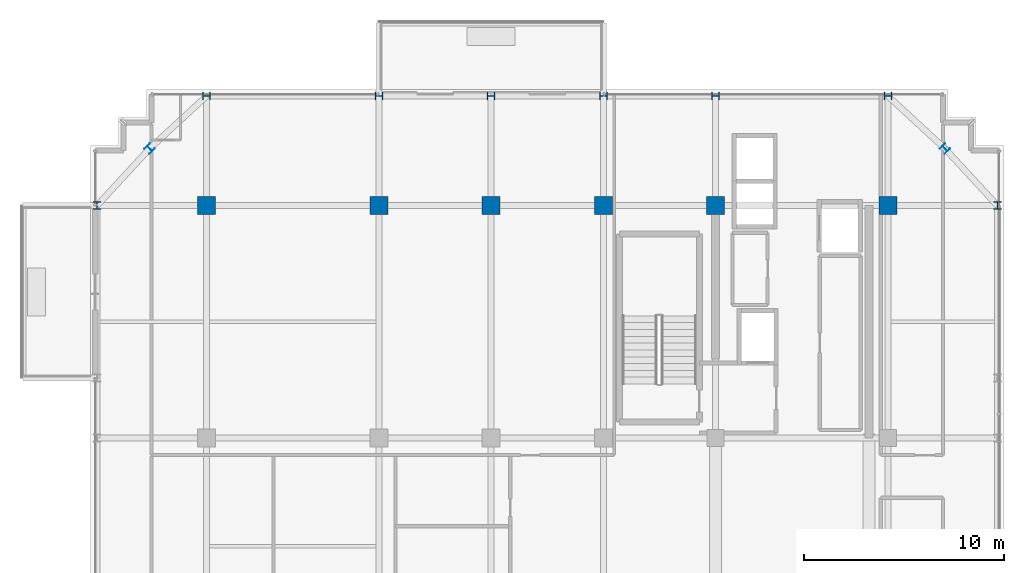
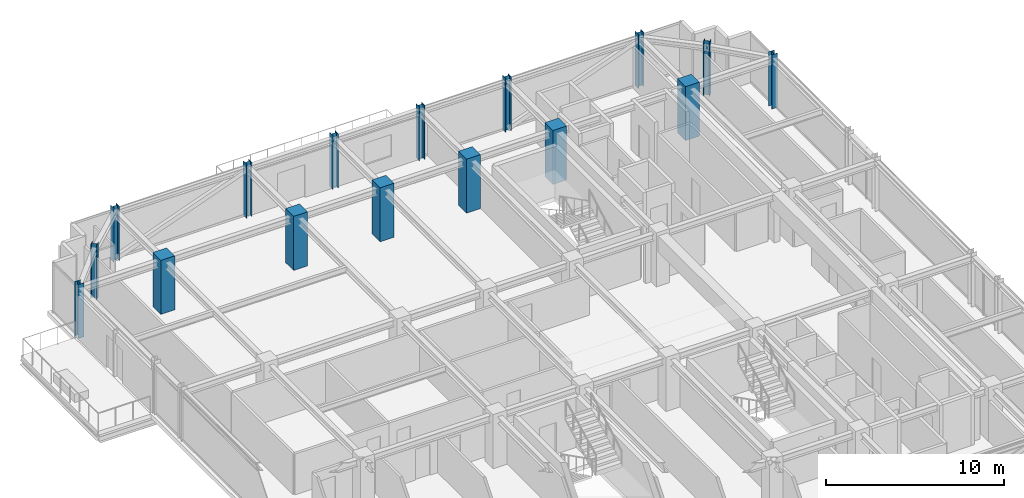
# One storey, part 3 of 36: 16 columns.
"""IFC4 building model written with IfcOpenShell, lengths in metres."""

from ifc_helpers import new_model, si_unit, direction, frame, origin, origin_2d, place, context, subcontext, project, spatial, rectangle, i_section, extrude, source, transform, mapped, material, material_profile, profile_set, type_object, element, save


model = new_model("IFC4")

# Units and contexts
model_context = context("Model", 3, precision=1e-05, world=origin(), true_north=direction((0.0, 1.0)))
body_context = subcontext(model_context, "Body", "Model", "MODEL_VIEW")
ifc_project = project(units=[si_unit("LENGTHUNIT", "METRE"), si_unit("AREAUNIT", "SQUARE_METRE"), si_unit("VOLUMEUNIT", "CUBIC_METRE"), si_unit("PLANEANGLEUNIT", "RADIAN"), si_unit("MASSUNIT", "GRAM", prefix="KILO")], contexts=[model_context])

# Site, building, storey
site_placement = place(None, origin())
site = spatial("IfcSite", under=ifc_project, at=site_placement, CompositionType="ELEMENT")
building_placement = place(site_placement, origin())
building = spatial("IfcBuilding", under=site, at=building_placement, Name="Nahalor Promenade Grand Hotel", CompositionType="ELEMENT")
storey_placement = place(building_placement, frame((0.0, 0.0, 273.800048828125)))
storey = spatial("IfcBuildingStorey", under=building, at=storey_placement, Name="L70", CompositionType="ELEMENT", Elevation=273.800048828125)

# Columns
ifc_material_1 = material(Name="Concrete B-50 (C40/50)", Category="concrete")
ifc_material_profile_1 = material_profile(ifc_material_1, rectangle(XDim=0.9, YDim=0.9, at=origin_2d()), Name="RC 900x900")
ifc_profile_set_1 = profile_set([ifc_material_profile_1], Name="Concrete B-50 (C40/50)")
column_type_1 = type_object("IfcColumnType", Name="Col-RC-900", PredefinedType="COLUMN", material=ifc_profile_set_1)
shared_shape_1 = source(origin(), body_context, "Body", "SweptSolid", [
    extrude(rectangle(XDim=0.9, YDim=0.9, at=origin_2d()), origin(), (0.0, 0.0, 1.0), 3.704833984375),
])
for number, where, z_axis, x_axis, name in (
    (1, (-17.0, 17.0, 0.0), (0.0, 0.0, 1.0), (1.0, 0.0, 0.0), "COL-L70-I03"),
    (2, (-8.39990234375, 17.0, 0.0), (0.0, 0.0, 1.0), (1.0, 0.0, 0.0), "COL-L70-I13"),
    (3, (-2.800048828125, 17.0, 0.0), (0.0, 0.0, 1.0), (1.0, 0.0, 0.0), "COL-L70-I23"),
    (4, (2.800048828125, 17.0, 0.0), (0.0, 0.0, 1.0), (1.0, 0.0, 0.0), "COL-L70-I33"),
    (5, (8.39990234375, 17.0, 0.0), (0.0, 0.0, 1.0), (1.0, 0.0, 0.0), "COL-L70-I43"),
    (6, (17.0, 17.0, 0.0), (0.0, 0.0, 1.0), (1.0, 0.0, 0.0), "COL-L70-I53"),
):
    element("IfcColumn", number, at=place(storey_placement, frame(where, z_axis=z_axis, x_axis=x_axis)), inside=storey, type_object=column_type_1, Name=name, PredefinedType="COLUMN", context=body_context, shape_type="MappedRepresentation", body=[
        mapped(shared_shape_1, transform((0.0, 0.0, 0.0), scale=1.0)),
    ])
ifc_material_2 = material(Name="Steel S355JR", Category="steel")
ifc_material_profile_2 = material_profile(ifc_material_2, i_section(OverallWidth=0.374, OverallDepth=0.374, WebThickness=0.0144, FlangeThickness=0.0229, at=origin_2d()), Name="HD 360x262")
ifc_profile_set_2 = profile_set([ifc_material_profile_2], Name="Steel S355JR")
column_type_2 = type_object("IfcColumnType", Name="Col-Steel-HD262", PredefinedType="COLUMN", material=ifc_profile_set_2)
shared_shape_2 = source(origin(), body_context, "Body", "SweptSolid", [
    extrude(i_section(OverallWidth=0.374, OverallDepth=0.374, WebThickness=0.0144, FlangeThickness=0.0229, at=origin_2d()), origin(), (0.0, 0.0, 1.0), 3.704833984375),
])
for number, where, z_axis, x_axis, name in (
    (7, (-22.47998046875, 17.0, 0.0), (0.0, 0.0, 1.0), (1.0, 0.0, 0.0), "COL-L70-PW-W5"),
    (8, (22.47998046875, 17.0, 0.0), (0.0, 0.0, 1.0), (1.0, 0.0, 0.0), "COL-L70-PW-E5"),
    (9, (-17.0, 22.47998046875, 0.0), (0.0, 0.0, 1.0), (0.0, 1.0, 0.0), "COL-L70-PN-N0"),
    (10, (-8.39990234375, 22.47998046875, 0.0), (0.0, 0.0, 1.0), (0.0, 1.0, 0.0), "COL-L70-PN-N1"),
    (11, (-2.800048828125, 22.47998046875, 0.0), (0.0, 0.0, 1.0), (0.0, 1.0, 0.0), "COL-L70-PN-N2"),
    (12, (2.800048828125, 22.47998046875, 0.0), (0.0, 0.0, 1.0), (0.0, 1.0, 0.0), "COL-L70-PN-N3"),
    (13, (8.39990234375, 22.47998046875, 0.0), (0.0, 0.0, 1.0), (0.0, 1.0, 0.0), "COL-L70-PN-N4"),
    (14, (17.0, 22.47998046875, 0.0), (0.0, 0.0, 1.0), (0.0, 1.0, 0.0), "COL-L70-PN-N5"),
    (15, (-19.85009765625, 19.85009765625, 0.0), (0.0, 0.0, 1.0), (0.707106781187, 0.707106781187, 0.0), "COL-L70-CRN-NW"),
    (16, (19.85009765625, 19.85009765625, 0.0), (0.0, 0.0, 1.0), (0.707106781187, 0.707106781187, 0.0), "COL-L70-CRN-NE"),
):
    element("IfcColumn", number, at=place(storey_placement, frame(where, z_axis=z_axis, x_axis=x_axis)), inside=storey, type_object=column_type_2, Name=name, PredefinedType="COLUMN", context=body_context, shape_type="MappedRepresentation", body=[
        mapped(shared_shape_2, transform((0.0, 0.0, 0.0), scale=1.0)),
    ])

save(model, "model.ifc")
